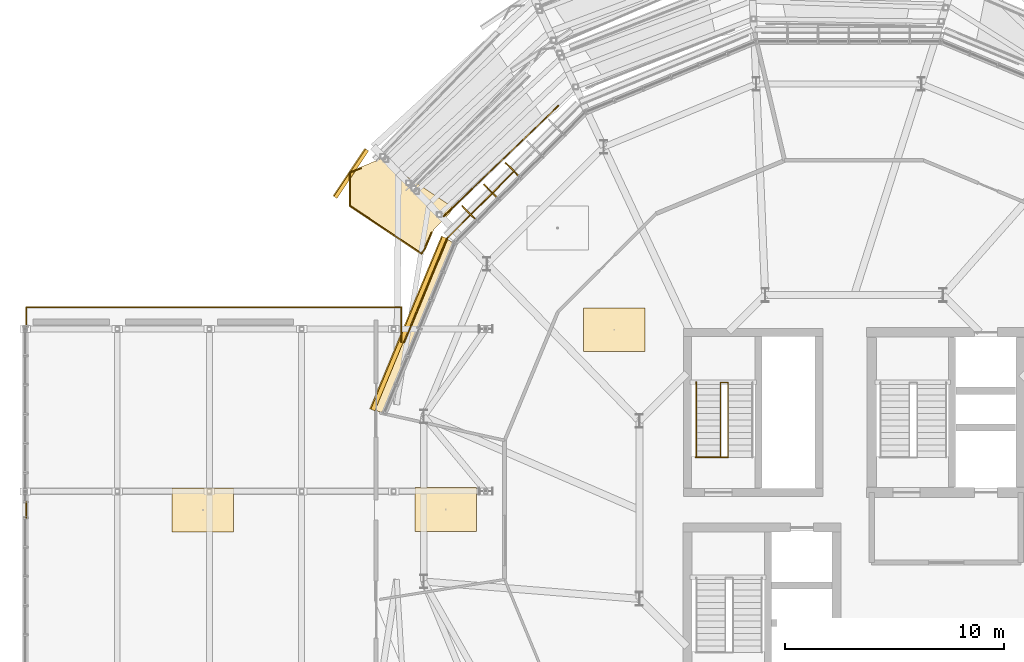
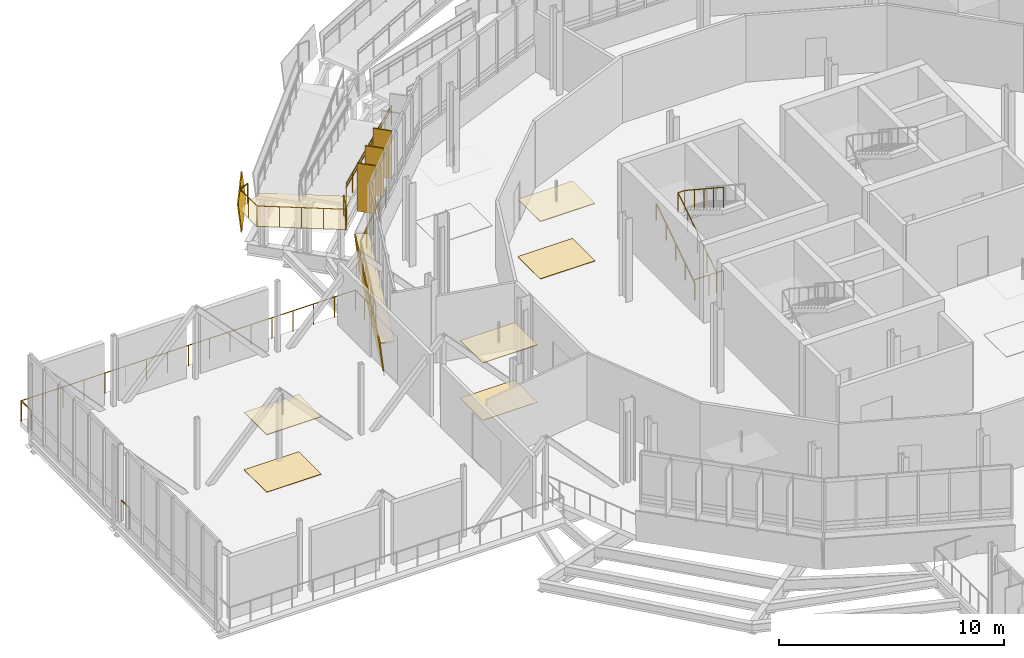
# One storey, part 131 of 139: 27 railings, 10 coverings, 3 shading devices.
"""IFC4 building model written with IfcOpenShell, lengths in metres."""

from ifc_helpers import new_model, si_unit, derived_unit, direction, frame, origin, origin_2d, place, context, subcontext, project, spatial, polyline, rectangle, circle, outline, extrude, material, layer, layer_set, type_object, element, save


model = new_model("IFC4")

# Units and contexts
model_context = context("Model", 3, precision=1e-05, world=origin(), true_north=direction((0.0, 1.0)))
body_context = subcontext(model_context, "Body", "Model", "MODEL_VIEW")
ifc_project = project(units=[si_unit("LENGTHUNIT", "METRE"), si_unit("AREAUNIT", "SQUARE_METRE"), si_unit("VOLUMEUNIT", "CUBIC_METRE"), si_unit("PLANEANGLEUNIT", "RADIAN"), si_unit("MASSUNIT", "GRAM", prefix="KILO"), derived_unit("THERMALTRANSMITTANCEUNIT", [(si_unit("MASSUNIT", "GRAM", prefix="KILO"), 1), (si_unit("TIMEUNIT", "SECOND"), -3), (si_unit("THERMODYNAMICTEMPERATUREUNIT", "KELVIN"), -1)])], contexts=[model_context])

# Site, building, storey
site_placement = place(None, origin())
site = spatial("IfcSite", under=ifc_project, at=site_placement, CompositionType="ELEMENT")
building_placement = place(site_placement, origin())
building = spatial("IfcBuilding", under=site, at=building_placement, Name="Makaiwela Harbour Ferry Terminal", CompositionType="ELEMENT")
storey_placement = place(building_placement, frame((0.0, 0.0, 5.10009765625)))
storey = spatial("IfcBuildingStorey", under=building, at=storey_placement, Name="L01", CompositionType="ELEMENT", Elevation=5.10009765625)

# Coverings
ifc_material_1 = material(Name="White glazed marine ceramic rainscreen tile", Category="masonry")
ifc_layer_1 = layer(ifc_material_1, 0.054931640625)
ifc_layer_set_1 = layer_set([ifc_layer_1], Name="White glazed marine ceramic rainscreen tile")
covering_type_1 = type_object("IfcCoveringType", Name="ENV-CLD-CERAMIC", PredefinedType="CLADDING", material=ifc_layer_set_1)
covering_1_placement = place(storey_placement, frame((19.20263671875, 79.99267578125, -0.260009765625), z_axis=(0.918363109129, -0.380399637871, 0.109111481057), x_axis=(-0.382684302552, -0.923879172066, -1.435078e-06)))
element("IfcCovering", 1, at=covering_1_placement, inside=storey, type_object=covering_type_1, Name="Ceramic Spandrel Facet CLD-0035", PredefinedType="CLADDING", context=body_context, shape_type="SweptSolid", body=[
    extrude(outline(polyline([(0.0, 0.0), (8.523531488549505, 0.0), (8.523645964644746, -1.7907330666680115), (2.1047310438472665e-05, -1.7907084557376685), (0.0, 0.0)])), origin(), (0.0, 0.0, -1.0), 0.054931640625),
])
covering_2_placement = place(storey_placement, frame((0.0, 0.0, 1.47998046875)))
element("IfcCovering", 2, at=covering_2_placement, inside=storey, type_object=covering_type_1, Name="Ceramic Ring Sill Cap CLD-0036", PredefinedType="CLADDING", context=body_context, shape_type="SweptSolid", body=[
    extrude(outline(polyline([(19.022216796875, 80.0673828125), (15.76025390625, 72.192626953125), (16.37646484375, 72.021728515625), (19.578857421875, 79.752685546875), (19.022216796875, 80.0673828125)])), origin(), (0.0, 0.0, 1.0), 0.054931640625),
])
covering_3_placement = place(storey_placement, frame((15.66162109375, 83.96630859375, 2.231201171875), z_axis=(0.826426607134, -0.552211081496, 0.109918080831), x_axis=(-0.555577390069, -0.831464830069, -1.41527e-06)))
element("IfcCovering", 3, at=covering_3_placement, inside=storey, type_object=covering_type_1, Name="Coiled Ramp Ceramic Fascia CLD-R0031", PredefinedType="CLADDING", context=body_context, shape_type="SweptSolid", body=[
    extrude(outline(polyline([(0.0, 0.0), (2.5997523059280994, 2.7755575615628914e-17), (2.5999274690024916, -1.529289712637063), (-0.00016347028013386972, -1.5292823085918787), (0.0, 0.0)])), origin(), (0.0, 0.0, -1.0), 0.054931640625),
])

# Shading devices
ifc_material_2 = material(Name="Thermally modified Accoya timber and anodised aluminium", Category="wood")
ifc_layer_2 = layer(ifc_material_2, 0.06005859375)
ifc_layer_set_2 = layer_set([ifc_layer_2], Name="Thermally modified Accoya timber and anodised aluminium")
shading_device_type = type_object("IfcShadingDeviceType", Name="ENV-FIN-850", PredefinedType="USERDEFINED", material=ifc_layer_set_2)
for number, where, z_axis, x_axis, name in (
    (4, (22.189697265625, 83.140380859375, 1.614990234375), (0.0, 0.0, 1.0), (-0.707106781187, 0.707106781187, 0.0), "Vertical Solar Fin SFN-0028"),
    (5, (21.203369140625, 82.154296875, 1.614990234375), (0.0, 0.0, 1.0), (-0.707106781187, 0.707106781187, 0.0), "Vertical Solar Fin SFN-0029"),
    (6, (20.21728515625, 81.168212890625, 1.614990234375), (0.0, 0.0, 1.0), (-0.707106781187, 0.707106781187, 0.0), "Vertical Solar Fin SFN-0030"),
):
    element("IfcShadingDevice", number, at=place(storey_placement, frame(where, z_axis=z_axis, x_axis=x_axis)), inside=storey, type_object=shading_device_type, Name=name, ObjectType="SOLAR FIN", PredefinedType="USERDEFINED", context=body_context, shape_type="SweptSolid", body=[
        extrude(rectangle(XDim=0.85009765625, YDim=0.06005859375, at=origin_2d()), origin(), (0.0, 0.0, 1.0), 2.60009765625),
    ])

# Coverings
ifc_material_3 = material(Name="Thermally modified Accoya timber acoustic slat ceiling", Category="wood")
ifc_layer_3 = layer(ifc_material_3, 0.0400390625)
ifc_layer_set_3 = layer_set([ifc_layer_3], Name="Thermally modified Accoya timber acoustic slat ceiling")
covering_type_2 = type_object("IfcCoveringType", Name="INT-COV-CEIL", PredefinedType="CEILING", material=ifc_layer_set_3)
covering_4_placement = place(storey_placement, frame((0.0, 0.0, 3.099853515625)))
element("IfcCovering", 7, at=covering_4_placement, inside=storey, type_object=covering_type_2, Name="Acoustic Timber Ceiling CLG-026", PredefinedType="CEILING", context=body_context, shape_type="SweptSolid", body=[
    extrude(outline(polyline([(25.459228515625, 74.814697265625), (28.25927734375, 74.814697265625), (28.25927734375, 76.814697265625), (25.459228515625, 76.814697265625), (25.459228515625, 74.814697265625)])), origin(), (0.0, 0.0, 1.0), 0.0400390625),
])
covering_5_placement = place(storey_placement, frame((0.0, 0.0, 3.099853515625)))
element("IfcCovering", 8, at=covering_5_placement, inside=storey, type_object=covering_type_2, Name="Acoustic Timber Ceiling CLG-029", PredefinedType="CEILING", context=body_context, shape_type="SweptSolid", body=[
    extrude(outline(polyline([(17.77734375, 66.6162109375), (20.577392578125, 66.6162109375), (20.577392578125, 68.6162109375), (17.77734375, 68.6162109375), (17.77734375, 66.6162109375)])), origin(), (0.0, 0.0, 1.0), 0.0400390625),
])
covering_6_placement = place(storey_placement, frame((0.0, 0.0, 3.099853515625)))
element("IfcCovering", 9, at=covering_6_placement, inside=storey, type_object=covering_type_2, Name="Acoustic Timber Ceiling CLG-033", PredefinedType="CEILING", context=body_context, shape_type="SweptSolid", body=[
    extrude(outline(polyline([(6.699951171875, 66.60009765625), (9.5, 66.60009765625), (9.5, 68.60009765625), (6.699951171875, 68.60009765625), (6.699951171875, 66.60009765625)])), origin(), (0.0, 0.0, 1.0), 0.0400390625),
])
ifc_material_4 = material(Name="Honed coral-aggregate epoxy terrazzo flooring", Category="concrete")
ifc_layer_4 = layer(ifc_material_4, 0.02490234375)
ifc_layer_set_4 = layer_set([ifc_layer_4], Name="Honed coral-aggregate epoxy terrazzo flooring")
covering_type_3 = type_object("IfcCoveringType", Name="INT-COV-FLR", PredefinedType="FLOORING", material=ifc_layer_set_4)
covering_7_placement = place(storey_placement, frame((0.0, 0.0, 2.5712890625)))
element("IfcCovering", 10, at=covering_7_placement, inside=storey, type_object=covering_type_3, Name="Ramp Landing Terrazzo RMP-COIL-L01-UTURN", PredefinedType="FLOORING", context=body_context, shape_type="SweptSolid", body=[
    extrude(outline(polyline([(18.266845703125, 79.501220703125), (18.6435546875, 80.41015625), (18.6435546875, 80.410400390625), (18.6435546875, 80.410400390625), (18.643798828125, 80.41064453125), (18.643798828125, 80.410888671875), (19.339599609375, 81.106689453125), (19.525390625, 81.384765625), (16.19970703125, 83.60693359375), (14.75390625, 83.009521484375), (14.755126953125, 81.4453125), (18.0810546875, 79.222900390625), (18.266845703125, 79.501220703125)])), origin(), (0.0, 0.0, 1.0), 0.02490234375),
])
covering_8_placement = place(storey_placement, origin())
element("IfcCovering", 11, at=covering_8_placement, inside=storey, type_object=covering_type_3, Name="Terrazzo Flooring FLG-026", PredefinedType="FLOORING", context=body_context, shape_type="SweptSolid", body=[
    extrude(outline(polyline([(25.459228515625, 74.814697265625), (28.25927734375, 74.814697265625), (28.25927734375, 76.814697265625), (25.459228515625, 76.814697265625), (25.459228515625, 74.814697265625)])), origin(), (0.0, 0.0, 1.0), 0.02490234375),
])
covering_9_placement = place(storey_placement, origin())
element("IfcCovering", 12, at=covering_9_placement, inside=storey, type_object=covering_type_3, Name="Terrazzo Flooring FLG-029", PredefinedType="FLOORING", context=body_context, shape_type="SweptSolid", body=[
    extrude(outline(polyline([(17.77734375, 66.6162109375), (20.577392578125, 66.6162109375), (20.577392578125, 68.6162109375), (17.77734375, 68.6162109375), (17.77734375, 66.6162109375)])), origin(), (0.0, 0.0, 1.0), 0.02490234375),
])
covering_10_placement = place(storey_placement, origin())
element("IfcCovering", 13, at=covering_10_placement, inside=storey, type_object=covering_type_3, Name="Terrazzo Flooring FLG-033", PredefinedType="FLOORING", context=body_context, shape_type="SweptSolid", body=[
    extrude(outline(polyline([(6.699951171875, 66.60009765625), (9.5, 66.60009765625), (9.5, 68.60009765625), (6.699951171875, 68.60009765625), (6.699951171875, 66.60009765625)])), origin(), (0.0, 0.0, 1.0), 0.02490234375),
])

# Railings
ifc_material_5 = material(Name="Marine grade 316L brushed stainless steel", Category="steel")
railing_type_1 = type_object("IfcRailingType", Name="INT-RL-GRD110", PredefinedType="GUARDRAIL", material=ifc_material_5)
railing_1_placement = place(storey_placement, frame((30.570068359375, 70.0, 0.0)))
element("IfcRailing", 14, at=railing_1_placement, inside=storey, type_object=railing_type_1, Name="Stair top well guardrail RL-0042", PredefinedType="GUARDRAIL", context=body_context, shape_type="SweptSolid", body=[
    extrude(circle(Radius=0.02392578125, at=origin_2d()), frame((0.0, 0.0, 1.09619140625), z_axis=(1.0, 0.0, 0.0), x_axis=(0.0, 1.0, 0.0)), (0.0, 0.0, 1.0), 1.47998046875),
    extrude(circle(Radius=0.02099609375, at=origin_2d()), origin(), (0.0, 0.0, 1.0), 1.072021484375),
    extrude(circle(Radius=0.02099609375, at=origin_2d()), frame((0.739990234375, 0.0, 0.0)), (0.0, 0.0, 1.0), 1.072021484375),
    extrude(circle(Radius=0.02099609375, at=origin_2d()), frame((1.47998046875, 0.0, 0.0)), (0.0, 0.0, 1.0), 1.072021484375),
])
railing_2_placement = place(storey_placement, frame((31.7099609375, 70.0, 0.0)))
element("IfcRailing", 15, at=railing_2_placement, inside=storey, type_object=railing_type_1, Name="Stair well guardrail RL-0045", PredefinedType="GUARDRAIL", context=body_context, shape_type="SweptSolid", body=[
    extrude(circle(Radius=0.02392578125, at=origin_2d()), frame((0.0, 0.0, 1.09619140625), z_axis=(0.0, 0.835411317272, 0.549625264133), x_axis=(-1.0, 0.0, 0.0)), (0.0, 0.0, 1.0), 4.09375),
    extrude(circle(Radius=0.02392578125, at=origin_2d()), frame((0.0, 3.419921875, 3.34619140625), z_axis=(1.0, 0.0, 0.0), x_axis=(0.0, 1.0, 0.0)), (0.0, 0.0, 1.0), 0.340087890625),
    extrude(circle(Radius=0.02392578125, at=origin_2d()), frame((0.340087890625, 3.419921875, 3.34619140625), z_axis=(0.0, -0.835411317272, 0.549625264133), x_axis=(1.0, 0.0, 0.0)), (0.0, 0.0, 1.0), 4.09375),
    extrude(circle(Radius=0.02099609375, at=origin_2d()), origin(), (0.0, 0.0, 1.0), 1.072021484375),
    extrude(circle(Radius=0.02099609375, at=origin_2d()), frame((0.0, 0.85498046875, 0.5625)), (0.0, 0.0, 1.0), 1.072021484375),
    extrude(circle(Radius=0.02099609375, at=origin_2d()), frame((0.0, 1.7099609375, 1.125)), (0.0, 0.0, 1.0), 1.072021484375),
    extrude(circle(Radius=0.02099609375, at=origin_2d()), frame((0.0, 2.56494140625, 1.6875)), (0.0, 0.0, 1.0), 1.072021484375),
    extrude(circle(Radius=0.02099609375, at=origin_2d()), frame((0.0, 3.419921875, 2.25)), (0.0, 0.0, 1.0), 1.072021484375),
    extrude(circle(Radius=0.02099609375, at=origin_2d()), frame((0.340087890625, 3.419921875, 2.25)), (0.0, 0.0, 1.0), 1.072021484375),
    extrude(circle(Radius=0.02099609375, at=origin_2d()), frame((0.340087890625, 2.56494140625, 2.8125)), (0.0, 0.0, 1.0), 1.072021484375),
    extrude(circle(Radius=0.02099609375, at=origin_2d()), frame((0.340087890625, 1.7099609375, 3.375)), (0.0, 0.0, 1.0), 1.072021484375),
    extrude(circle(Radius=0.02099609375, at=origin_2d()), frame((0.340087890625, 0.85498046875, 3.9375)), (0.0, 0.0, 1.0), 1.072021484375),
    extrude(circle(Radius=0.02099609375, at=origin_2d()), frame((0.340087890625, 0.0, 4.5)), (0.0, 0.0, 1.0), 1.072021484375),
])
railing_3_placement = place(storey_placement, frame((24.310791015625, 86.031005859375, 1.928466796875)))
element("IfcRailing", 16, at=railing_3_placement, inside=storey, type_object=railing_type_1, Name="Ramp guardrail RL-0149", PredefinedType="GUARDRAIL", context=body_context, shape_type="SweptSolid", body=[
    extrude(circle(Radius=0.02392578125, at=origin_2d()), frame((0.0, 0.0, 1.09619140625), z_axis=(-0.717129041594, -0.691337852335, 0.088192469244), x_axis=(0.694042220715, -0.719934299686, 0.0)), (0.0, 0.0, 1.0), 7.288818359375),
    extrude(circle(Radius=0.02099609375, at=origin_2d()), origin(), (0.0, 0.0, 1.0), 1.072021484375),
    extrude(circle(Radius=0.02099609375, at=origin_2d()), frame((-0.746826171875, -0.719970703125, 0.091796875)), (0.0, 0.0, 1.0), 1.072021484375),
    extrude(circle(Radius=0.02099609375, at=origin_2d()), frame((-1.493408203125, -1.439697265625, 0.18359375)), (0.0, 0.0, 1.0), 1.072021484375),
    extrude(circle(Radius=0.02099609375, at=origin_2d()), frame((-2.240234375, -2.15966796875, 0.275390625)), (0.0, 0.0, 1.0), 1.072021484375),
    extrude(circle(Radius=0.02099609375, at=origin_2d()), frame((-2.98681640625, -2.87939453125, 0.367431640625)), (0.0, 0.0, 1.0), 1.072021484375),
    extrude(circle(Radius=0.02099609375, at=origin_2d()), frame((-3.733642578125, -3.599365234375, 0.459228515625)), (0.0, 0.0, 1.0), 1.072021484375),
    extrude(circle(Radius=0.02099609375, at=origin_2d()), frame((-4.480224609375, -4.319091796875, 0.551025390625)), (0.0, 0.0, 1.0), 1.072021484375),
    extrude(circle(Radius=0.02099609375, at=origin_2d()), frame((-5.22705078125, -5.0390625, 0.642822265625)), (0.0, 0.0, 1.0), 1.072021484375),
])
railing_4_placement = place(storey_placement, frame((0.044921875, 67.239990234375, 0.0)))
element("IfcRailing", 17, at=railing_4_placement, inside=storey, type_object=railing_type_1, Name="Deck edge guardrail RL-0258", PredefinedType="GUARDRAIL", context=body_context, shape_type="SweptSolid", body=[
    extrude(circle(Radius=0.02392578125, at=origin_2d()), frame((0.0, 0.0, 1.09619140625), z_axis=(0.0, 1.0, 0.0), x_axis=(-1.0, 0.0, 0.0)), (0.0, 0.0, 1.0), 0.719970703125),
    extrude(circle(Radius=0.02099609375, at=origin_2d()), origin(), (0.0, 0.0, 1.0), 1.072021484375),
    extrude(circle(Radius=0.02099609375, at=origin_2d()), frame((0.0, 0.719970703125, 0.0)), (0.0, 0.0, 1.0), 1.072021484375),
])
railing_5_placement = place(storey_placement, frame((0.044921875, 75.969970703125, 0.0)))
element("IfcRailing", 18, at=railing_5_placement, inside=storey, type_object=railing_type_1, Name="Deck edge guardrail RL-0259", PredefinedType="GUARDRAIL", context=body_context, shape_type="SweptSolid", body=[
    extrude(circle(Radius=0.02392578125, at=origin_2d()), frame((0.0, 0.0, 1.09619140625), z_axis=(0.0, 1.0, 0.0), x_axis=(-1.0, 0.0, 0.0)), (0.0, 0.0, 1.0), 0.864990234375),
    extrude(circle(Radius=0.02099609375, at=origin_2d()), origin(), (0.0, 0.0, 1.0), 1.072021484375),
    extrude(circle(Radius=0.02099609375, at=origin_2d()), frame((0.0, 0.864990234375, 0.0)), (0.0, 0.0, 1.0), 1.072021484375),
])
railing_6_placement = place(storey_placement, frame((0.044921875, 76.8349609375, 0.0)))
element("IfcRailing", 19, at=railing_6_placement, inside=storey, type_object=railing_type_1, Name="Deck edge guardrail RL-0260", PredefinedType="GUARDRAIL", context=body_context, shape_type="SweptSolid", body=[
    extrude(circle(Radius=0.02392578125, at=origin_2d()), frame((0.0, 0.0, 1.09619140625), z_axis=(1.0, 0.0, 0.0), x_axis=(0.0, 1.0, 0.0)), (0.0, 0.0, 1.0), 2.138671875),
    extrude(circle(Radius=0.02099609375, at=origin_2d()), origin(), (0.0, 0.0, 1.0), 1.072021484375),
    extrude(circle(Radius=0.02099609375, at=origin_2d()), frame((1.0693359375, 0.0, 0.0)), (0.0, 0.0, 1.0), 1.072021484375),
    extrude(circle(Radius=0.02099609375, at=origin_2d()), frame((2.138671875, 0.0, 0.0)), (0.0, 0.0, 1.0), 1.072021484375),
])
railing_7_placement = place(storey_placement, frame((2.18359375, 76.8349609375, 0.0)))
element("IfcRailing", 20, at=railing_7_placement, inside=storey, type_object=railing_type_1, Name="Deck edge guardrail RL-0261", PredefinedType="GUARDRAIL", context=body_context, shape_type="SweptSolid", body=[
    extrude(circle(Radius=0.02392578125, at=origin_2d()), frame((0.0, 0.0, 1.09619140625), z_axis=(1.0, 0.0, 0.0), x_axis=(0.0, 1.0, 0.0)), (0.0, 0.0, 1.0), 2.138916015625),
    extrude(circle(Radius=0.02099609375, at=origin_2d()), origin(), (0.0, 0.0, 1.0), 1.072021484375),
    extrude(circle(Radius=0.02099609375, at=origin_2d()), frame((1.0693359375, 0.0, 0.0)), (0.0, 0.0, 1.0), 1.072021484375),
    extrude(circle(Radius=0.02099609375, at=origin_2d()), frame((2.138916015625, 0.0, 0.0)), (0.0, 0.0, 1.0), 1.072021484375),
])
railing_8_placement = place(storey_placement, frame((4.322509765625, 76.8349609375, 0.0)))
element("IfcRailing", 21, at=railing_8_placement, inside=storey, type_object=railing_type_1, Name="Deck edge guardrail RL-0262", PredefinedType="GUARDRAIL", context=body_context, shape_type="SweptSolid", body=[
    extrude(circle(Radius=0.02392578125, at=origin_2d()), frame((0.0, 0.0, 1.09619140625), z_axis=(1.0, 0.0, 0.0), x_axis=(0.0, 1.0, 0.0)), (0.0, 0.0, 1.0), 2.138671875),
    extrude(circle(Radius=0.02099609375, at=origin_2d()), origin(), (0.0, 0.0, 1.0), 1.072021484375),
    extrude(circle(Radius=0.02099609375, at=origin_2d()), frame((1.0693359375, 0.0, 0.0)), (0.0, 0.0, 1.0), 1.072021484375),
    extrude(circle(Radius=0.02099609375, at=origin_2d()), frame((2.138671875, 0.0, 0.0)), (0.0, 0.0, 1.0), 1.072021484375),
])
railing_9_placement = place(storey_placement, frame((6.461181640625, 76.8349609375, 0.0)))
element("IfcRailing", 22, at=railing_9_placement, inside=storey, type_object=railing_type_1, Name="Deck edge guardrail RL-0263", PredefinedType="GUARDRAIL", context=body_context, shape_type="SweptSolid", body=[
    extrude(circle(Radius=0.02392578125, at=origin_2d()), frame((0.0, 0.0, 1.09619140625), z_axis=(1.0, 0.0, 0.0), x_axis=(0.0, 1.0, 0.0)), (0.0, 0.0, 1.0), 2.138916015625),
    extrude(circle(Radius=0.02099609375, at=origin_2d()), origin(), (0.0, 0.0, 1.0), 1.072021484375),
    extrude(circle(Radius=0.02099609375, at=origin_2d()), frame((1.0693359375, 0.0, 0.0)), (0.0, 0.0, 1.0), 1.072021484375),
    extrude(circle(Radius=0.02099609375, at=origin_2d()), frame((2.138916015625, 0.0, 0.0)), (0.0, 0.0, 1.0), 1.072021484375),
])
for number, where, name in (
    (23, (8.60009765625, 76.8349609375, 0.0), "Deck edge guardrail RL-0264"),
    (24, (10.73876953125, 76.8349609375, 0.0), "Deck edge guardrail RL-0265"),
    (25, (12.87744140625, 76.8349609375, 0.0), "Deck edge guardrail RL-0266"),
):
    element("IfcRailing", number, at=place(storey_placement, frame(where)), inside=storey, type_object=railing_type_1, Name=name, PredefinedType="GUARDRAIL", context=body_context, shape_type="SweptSolid", body=[
        extrude(circle(Radius=0.02392578125, at=origin_2d()), frame((0.0, 0.0, 1.09619140625), z_axis=(1.0, 0.0, 0.0), x_axis=(0.0, 1.0, 0.0)), (0.0, 0.0, 1.0), 2.138671875),
        extrude(circle(Radius=0.02099609375, at=origin_2d()), origin(), (0.0, 0.0, 1.0), 1.072021484375),
        extrude(circle(Radius=0.02099609375, at=origin_2d()), frame((1.0693359375, 0.0, 0.0)), (0.0, 0.0, 1.0), 1.072021484375),
        extrude(circle(Radius=0.02099609375, at=origin_2d()), frame((2.138671875, 0.0, 0.0)), (0.0, 0.0, 1.0), 1.072021484375),
    ])
railing_10_placement = place(storey_placement, frame((15.01611328125, 76.8349609375, 0.0)))
element("IfcRailing", 26, at=railing_10_placement, inside=storey, type_object=railing_type_1, Name="Deck edge guardrail RL-0267", PredefinedType="GUARDRAIL", context=body_context, shape_type="SweptSolid", body=[
    extrude(circle(Radius=0.02392578125, at=origin_2d()), frame((0.0, 0.0, 1.09619140625), z_axis=(1.0, 0.0, 0.0), x_axis=(0.0, 1.0, 0.0)), (0.0, 0.0, 1.0), 2.138916015625),
    extrude(circle(Radius=0.02099609375, at=origin_2d()), origin(), (0.0, 0.0, 1.0), 1.072021484375),
    extrude(circle(Radius=0.02099609375, at=origin_2d()), frame((1.0693359375, 0.0, 0.0)), (0.0, 0.0, 1.0), 1.072021484375),
    extrude(circle(Radius=0.02099609375, at=origin_2d()), frame((2.138916015625, 0.0, 0.0)), (0.0, 0.0, 1.0), 1.072021484375),
])
railing_11_placement = place(storey_placement, frame((17.155029296875, 76.8349609375, 0.0)))
element("IfcRailing", 27, at=railing_11_placement, inside=storey, type_object=railing_type_1, Name="Deck edge guardrail RL-0268", PredefinedType="GUARDRAIL", context=body_context, shape_type="SweptSolid", body=[
    extrude(circle(Radius=0.02392578125, at=origin_2d()), frame((0.0, 0.0, 1.09619140625), z_axis=(0.00015496668, -0.999999987993, 0.0), x_axis=(0.999999987993, 0.00015496668, 0.0)), (0.0, 0.0, 1.0), 1.575439453125),
    extrude(circle(Radius=0.02099609375, at=origin_2d()), origin(), (0.0, 0.0, 1.0), 1.072021484375),
    extrude(circle(Radius=0.02099609375, at=origin_2d()), frame((0.0, -0.78759765625, 0.0)), (0.0, 0.0, 1.0), 1.072021484375),
    extrude(circle(Radius=0.02099609375, at=origin_2d()), frame((0.000244140625, -1.575439453125, 0.0)), (0.0, 0.0, 1.0), 1.072021484375),
])
railing_12_placement = place(storey_placement, frame((17.280029296875, 75.23876953125, 0.0)))
element("IfcRailing", 28, at=railing_12_placement, inside=storey, type_object=railing_type_1, Name="Deck edge guardrail RL-0269", PredefinedType="GUARDRAIL", context=body_context, shape_type="SweptSolid", body=[
    extrude(circle(Radius=0.02392578125, at=origin_2d()), frame((0.0, 0.0, 1.09619140625), z_axis=(0.382648571325, 0.923893971656, 0.0), x_axis=(-0.923893971656, 0.382648571325, 0.0)), (0.0, 0.0, 1.0), 1.719482421875),
    extrude(circle(Radius=0.02099609375, at=origin_2d()), origin(), (0.0, 0.0, 1.0), 1.072021484375),
    extrude(circle(Radius=0.02099609375, at=origin_2d()), frame((0.3291015625, 0.79443359375, 0.0)), (0.0, 0.0, 1.0), 1.072021484375),
    extrude(circle(Radius=0.02099609375, at=origin_2d()), frame((0.657958984375, 1.588623046875, 0.0)), (0.0, 0.0, 1.0), 1.072021484375),
])
railing_13_placement = place(storey_placement, frame((17.93798828125, 76.827392578125, 0.0)))
element("IfcRailing", 29, at=railing_13_placement, inside=storey, type_object=railing_type_1, Name="Deck edge guardrail RL-0270", PredefinedType="GUARDRAIL", context=body_context, shape_type="SweptSolid", body=[
    extrude(circle(Radius=0.02392578125, at=origin_2d()), frame((0.0, 0.0, 1.09619140625), z_axis=(0.382769756697, 0.923843771077, 0.0), x_axis=(-0.923843771077, 0.382769756697, 0.0)), (0.0, 0.0, 1.0), 1.719482421875),
    extrude(circle(Radius=0.02099609375, at=origin_2d()), origin(), (0.0, 0.0, 1.0), 1.072021484375),
    extrude(circle(Radius=0.02099609375, at=origin_2d()), frame((0.3291015625, 0.79443359375, 0.0)), (0.0, 0.0, 1.0), 1.072021484375),
    extrude(circle(Radius=0.02099609375, at=origin_2d()), frame((0.658203125, 1.588623046875, 0.0)), (0.0, 0.0, 1.0), 1.072021484375),
])
railing_14_placement = place(storey_placement, frame((18.59619140625, 78.416015625, 0.0)))
element("IfcRailing", 30, at=railing_14_placement, inside=storey, type_object=railing_type_1, Name="Deck edge guardrail RL-0271", PredefinedType="GUARDRAIL", context=body_context, shape_type="SweptSolid", body=[
    extrude(circle(Radius=0.02392578125, at=origin_2d()), frame((0.0, 0.0, 1.09619140625), z_axis=(0.382598381986, 0.923914756945, 0.0), x_axis=(-0.923914756945, 0.382598381986, 0.0)), (0.0, 0.0, 1.0), 1.7197265625),
    extrude(circle(Radius=0.02099609375, at=origin_2d()), origin(), (0.0, 0.0, 1.0), 1.072021484375),
    extrude(circle(Radius=0.02099609375, at=origin_2d()), frame((0.3291015625, 0.79443359375, 0.0)), (0.0, 0.0, 1.0), 1.072021484375),
    extrude(circle(Radius=0.02099609375, at=origin_2d()), frame((0.657958984375, 1.5888671875, 0.0)), (0.0, 0.0, 1.0), 1.072021484375),
])
railing_15_placement = place(storey_placement, frame((19.254150390625, 80.0048828125, 0.0)))
element("IfcRailing", 31, at=railing_15_placement, inside=storey, type_object=railing_type_1, Name="Deck edge guardrail RL-0272", PredefinedType="GUARDRAIL", context=body_context, shape_type="SweptSolid", body=[
    extrude(circle(Radius=0.02392578125, at=origin_2d()), frame((0.0, 0.0, 1.09619140625), z_axis=(0.707163652283, 0.707049905516, 0.0), x_axis=(-0.707049905516, 0.707163652283, 0.0)), (0.0, 0.0, 1.0), 2.146240234375),
    extrude(circle(Radius=0.02099609375, at=origin_2d()), origin(), (0.0, 0.0, 1.0), 1.072021484375),
    extrude(circle(Radius=0.02099609375, at=origin_2d()), frame((0.7587890625, 0.7587890625, 0.0)), (0.0, 0.0, 1.0), 1.072021484375),
    extrude(circle(Radius=0.02099609375, at=origin_2d()), frame((1.517822265625, 1.517578125, 0.0)), (0.0, 0.0, 1.0), 1.072021484375),
])
railing_16_placement = place(storey_placement, frame((20.77197265625, 81.5224609375, 0.0)))
element("IfcRailing", 32, at=railing_16_placement, inside=storey, type_object=railing_type_1, Name="Deck edge guardrail RL-0273", PredefinedType="GUARDRAIL", context=body_context, shape_type="SweptSolid", body=[
    extrude(circle(Radius=0.02392578125, at=origin_2d()), frame((0.0, 0.0, 1.09619140625), z_axis=(0.707106781187, 0.707106781187, 0.0), x_axis=(-0.707106781187, 0.707106781187, 0.0)), (0.0, 0.0, 1.0), 2.146484375),
    extrude(circle(Radius=0.02099609375, at=origin_2d()), origin(), (0.0, 0.0, 1.0), 1.072021484375),
    extrude(circle(Radius=0.02099609375, at=origin_2d()), frame((0.7587890625, 0.7587890625, 0.0)), (0.0, 0.0, 1.0), 1.072021484375),
    extrude(circle(Radius=0.02099609375, at=origin_2d()), frame((1.517822265625, 1.517822265625, 0.0)), (0.0, 0.0, 1.0), 1.072021484375),
])
railing_17_placement = place(storey_placement, frame((14.799072265625, 82.979248046875, 2.5712890625)))
element("IfcRailing", 33, at=railing_17_placement, inside=storey, type_object=railing_type_1, Name="Deck edge guardrail RL-0431", PredefinedType="GUARDRAIL", context=body_context, shape_type="SweptSolid", body=[
    extrude(circle(Radius=0.02392578125, at=origin_2d()), frame((0.0, 0.0, 1.09619140625), z_axis=(0.924060758393, 0.382245621033, 0.0), x_axis=(-0.382245621033, 0.924060758393, 0.0)), (0.0, 0.0, 1.0), 0.54150390625),
    extrude(circle(Radius=0.02099609375, at=origin_2d()), origin(), (0.0, 0.0, 1.0), 1.072021484375),
    extrude(circle(Radius=0.02099609375, at=origin_2d()), frame((0.50048828125, 0.20703125, 0.0)), (0.0, 0.0, 1.0), 1.072021484375),
])
railing_18_placement = place(storey_placement, frame((18.521484375, 80.233154296875, 2.5712890625)))
element("IfcRailing", 34, at=railing_18_placement, inside=storey, type_object=railing_type_1, Name="Deck edge guardrail RL-0432", PredefinedType="GUARDRAIL", context=body_context, shape_type="SweptSolid", body=[
    extrude(circle(Radius=0.02392578125, at=origin_2d()), frame((0.0, 0.0, 1.09619140625), z_axis=(-0.382744197427, -0.923854360457, 0.0), x_axis=(0.923854360457, -0.382744197427, 0.0)), (0.0, 0.0, 1.0), 0.769287109375),
    extrude(circle(Radius=0.02099609375, at=origin_2d()), origin(), (0.0, 0.0, 1.0), 1.072021484375),
    extrude(circle(Radius=0.02099609375, at=origin_2d()), frame((-0.29443359375, -0.710693359375, 0.0)), (0.0, 0.0, 1.0), 1.072021484375),
])
railing_19_placement = place(storey_placement, frame((18.22705078125, 79.5224609375, 2.5712890625)))
element("IfcRailing", 35, at=railing_19_placement, inside=storey, type_object=railing_type_1, Name="Deck edge guardrail RL-0433", PredefinedType="GUARDRAIL", context=body_context, shape_type="SweptSolid", body=[
    extrude(circle(Radius=0.02392578125, at=origin_2d()), frame((0.0, 0.0, 1.09619140625), z_axis=(-0.555687753091, -0.831391075887, 0.0), x_axis=(0.831391075887, -0.555687753091, 0.0)), (0.0, 0.0, 1.0), 0.28515625),
    extrude(circle(Radius=0.02099609375, at=origin_2d()), origin(), (0.0, 0.0, 1.0), 1.072021484375),
    extrude(circle(Radius=0.02099609375, at=origin_2d()), frame((-0.158447265625, -0.237060546875, 0.0)), (0.0, 0.0, 1.0), 1.072021484375),
])
railing_20_placement = place(storey_placement, frame((18.068603515625, 79.285400390625, 2.5712890625)))
element("IfcRailing", 36, at=railing_20_placement, inside=storey, type_object=railing_type_1, Name="Deck edge guardrail RL-0434", PredefinedType="GUARDRAIL", context=body_context, shape_type="SweptSolid", body=[
    extrude(circle(Radius=0.02392578125, at=origin_2d()), frame((0.0, 0.0, 1.09619140625), z_axis=(-0.831514814588, 0.55550257706, 0.0), x_axis=(-0.55550257706, -0.831514814588, 0.0)), (0.0, 0.0, 1.0), 1.96533203125),
    extrude(circle(Radius=0.02099609375, at=origin_2d()), origin(), (0.0, 0.0, 1.0), 1.072021484375),
    extrude(circle(Radius=0.02099609375, at=origin_2d()), frame((-0.817138671875, 0.5458984375, 0.0)), (0.0, 0.0, 1.0), 1.072021484375),
    extrude(circle(Radius=0.02099609375, at=origin_2d()), frame((-1.63427734375, 1.091796875, 0.0)), (0.0, 0.0, 1.0), 1.072021484375),
])
railing_21_placement = place(storey_placement, frame((16.434326171875, 80.377197265625, 2.5712890625)))
element("IfcRailing", 37, at=railing_21_placement, inside=storey, type_object=railing_type_1, Name="Deck edge guardrail RL-0435", PredefinedType="GUARDRAIL", context=body_context, shape_type="SweptSolid", body=[
    extrude(circle(Radius=0.02392578125, at=origin_2d()), frame((0.0, 0.0, 1.09619140625), z_axis=(-0.831419090078, 0.55564583743, 0.0), x_axis=(-0.55564583743, -0.831419090078, 0.0)), (0.0, 0.0, 1.0), 1.96533203125),
    extrude(circle(Radius=0.02099609375, at=origin_2d()), origin(), (0.0, 0.0, 1.0), 1.072021484375),
    extrude(circle(Radius=0.02099609375, at=origin_2d()), frame((-0.81689453125, 0.5458984375, 0.0)), (0.0, 0.0, 1.0), 1.072021484375),
    extrude(circle(Radius=0.02099609375, at=origin_2d()), frame((-1.634033203125, 1.092041015625, 0.0)), (0.0, 0.0, 1.0), 1.072021484375),
])
railing_22_placement = place(storey_placement, frame((14.80029296875, 81.46923828125, 2.5712890625)))
element("IfcRailing", 38, at=railing_22_placement, inside=storey, type_object=railing_type_1, Name="Deck edge guardrail RL-0436", PredefinedType="GUARDRAIL", context=body_context, shape_type="SweptSolid", body=[
    extrude(circle(Radius=0.02392578125, at=origin_2d()), frame((0.0, 0.0, 1.09619140625), z_axis=(-0.000808407173, 0.999999673239, 0.0), x_axis=(-0.999999673239, -0.000808407173, 0.0)), (0.0, 0.0, 1.0), 1.510009765625),
    extrude(circle(Radius=0.02099609375, at=origin_2d()), origin(), (0.0, 0.0, 1.0), 1.072021484375),
    extrude(circle(Radius=0.02099609375, at=origin_2d()), frame((-0.00048828125, 0.7548828125, 0.0)), (0.0, 0.0, 1.0), 1.072021484375),
    extrude(circle(Radius=0.02099609375, at=origin_2d()), frame((-0.001220703125, 1.510009765625, 0.0)), (0.0, 0.0, 1.0), 1.072021484375),
])
railing_type_2 = type_object("IfcRailingType", Name="INT-RL-HND090", PredefinedType="HANDRAIL", material=ifc_material_5)
railing_23_placement = place(storey_placement, frame((30.60009765625, 70.0, 0.0)))
element("IfcRailing", 39, at=railing_23_placement, inside=storey, type_object=railing_type_2, Name="Stair wall handrail RL-0047", PredefinedType="HANDRAIL", context=body_context, shape_type="SweptSolid", body=[
    extrude(circle(Radius=0.02392578125, at=origin_2d()), frame((0.0, 0.0, 0.89111328125), z_axis=(0.0, 0.835411317272, 0.549625264133), x_axis=(-1.0, 0.0, 0.0)), (0.0, 0.0, 1.0), 4.09375),
    extrude(circle(Radius=0.02099609375, at=origin_2d()), origin(), (0.0, 0.0, 1.0), 0.866943359375),
    extrude(circle(Radius=0.02099609375, at=origin_2d()), frame((0.0, 0.85498046875, 0.5625)), (0.0, 0.0, 1.0), 0.866943359375),
    extrude(circle(Radius=0.02099609375, at=origin_2d()), frame((0.0, 1.7099609375, 1.125)), (0.0, 0.0, 1.0), 0.866943359375),
    extrude(circle(Radius=0.02099609375, at=origin_2d()), frame((0.0, 2.56494140625, 1.6875)), (0.0, 0.0, 1.0), 0.866943359375),
    extrude(circle(Radius=0.02099609375, at=origin_2d()), frame((0.0, 3.419921875, 2.25)), (0.0, 0.0, 1.0), 0.866943359375),
])
railing_24_placement = place(storey_placement, frame((24.310791015625, 86.031005859375, 1.928466796875)))
element("IfcRailing", 40, at=railing_24_placement, inside=storey, type_object=railing_type_2, Name="Ramp handrail RL-0150", PredefinedType="HANDRAIL", context=body_context, shape_type="SweptSolid", body=[
    extrude(circle(Radius=0.02392578125, at=origin_2d()), frame((0.0, 0.0, 0.89111328125), z_axis=(-0.717129041594, -0.691337852335, 0.088192469244), x_axis=(0.694042220715, -0.719934299686, 0.0)), (0.0, 0.0, 1.0), 7.288818359375),
    extrude(circle(Radius=0.02099609375, at=origin_2d()), origin(), (0.0, 0.0, 1.0), 0.866943359375),
    extrude(circle(Radius=0.02099609375, at=origin_2d()), frame((-0.746826171875, -0.719970703125, 0.091796875)), (0.0, 0.0, 1.0), 0.866943359375),
    extrude(circle(Radius=0.02099609375, at=origin_2d()), frame((-1.493408203125, -1.439697265625, 0.18359375)), (0.0, 0.0, 1.0), 0.866943359375),
    extrude(circle(Radius=0.02099609375, at=origin_2d()), frame((-2.240234375, -2.15966796875, 0.275390625)), (0.0, 0.0, 1.0), 0.866943359375),
    extrude(circle(Radius=0.02099609375, at=origin_2d()), frame((-2.98681640625, -2.87939453125, 0.367431640625)), (0.0, 0.0, 1.0), 0.866943359375),
    extrude(circle(Radius=0.02099609375, at=origin_2d()), frame((-3.733642578125, -3.599365234375, 0.459228515625)), (0.0, 0.0, 1.0), 0.866943359375),
    extrude(circle(Radius=0.02099609375, at=origin_2d()), frame((-4.480224609375, -4.319091796875, 0.551025390625)), (0.0, 0.0, 1.0), 0.866943359375),
    extrude(circle(Radius=0.02099609375, at=origin_2d()), frame((-5.22705078125, -5.0390625, 0.642822265625)), (0.0, 0.0, 1.0), 0.866943359375),
])

save(model, "model.ifc")
